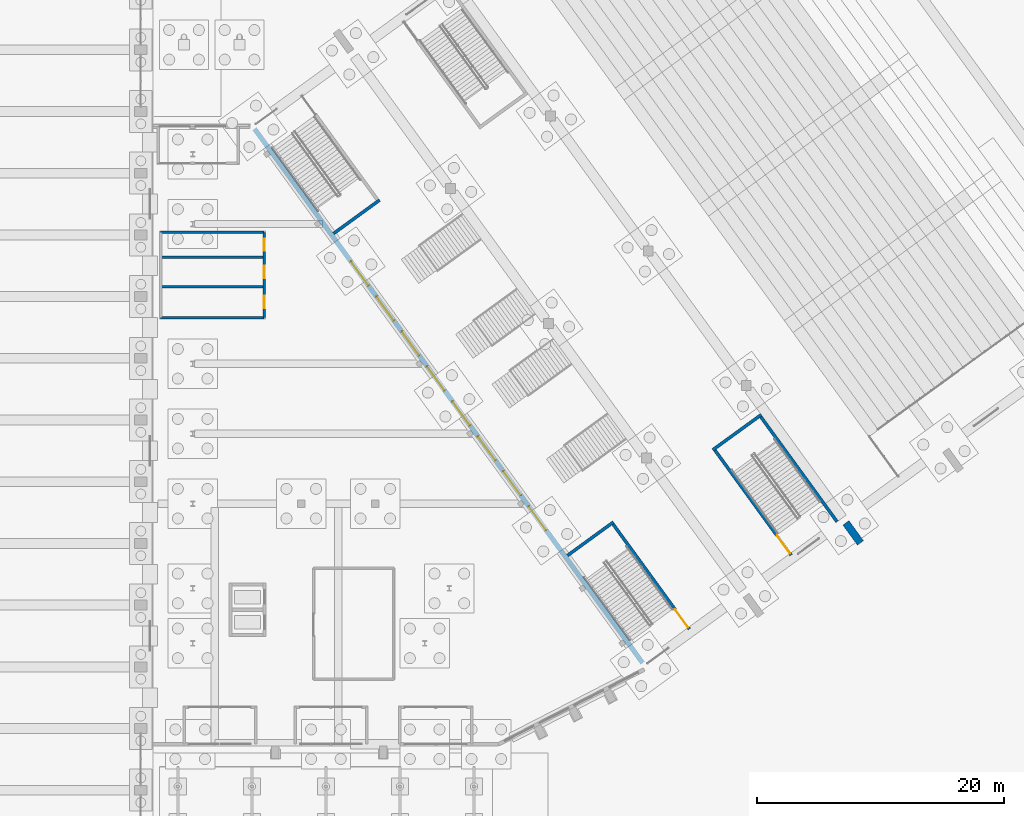
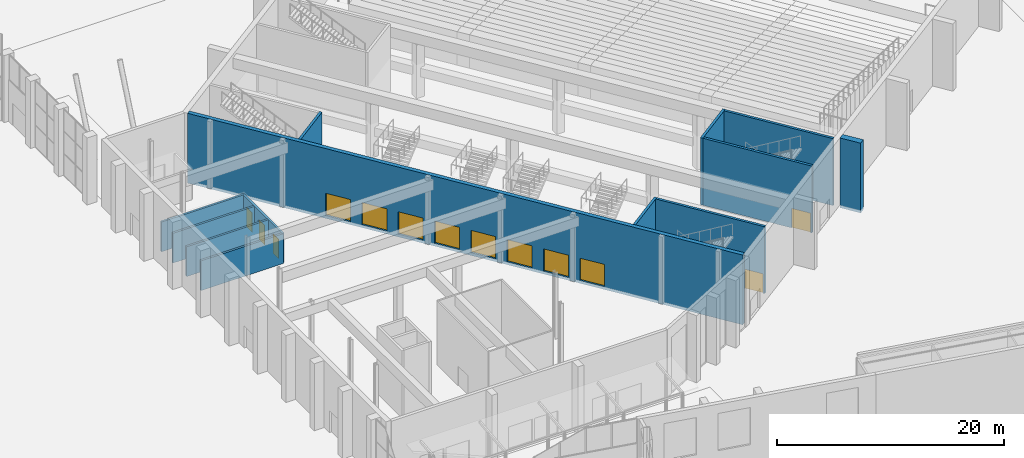
# One storey, part 184 of 239: 13 doors, 13 walls, 13 openings.
"""IFC4 building model written with IfcOpenShell, lengths in metres."""

from ifc_helpers import new_model, si_unit, direction, frame, frame_2d, origin, place, context, subcontext, project, spatial, rectangle, extrude, material, layer, layer_set, type_object, element, fill, save


model = new_model("IFC4")

# Units and contexts
model_context = context("Model", 3, precision=1e-05, world=origin(), true_north=direction((0.0, 1.0)))
body_context = subcontext(model_context, "Body", "Model", "MODEL_VIEW")
ifc_project = project(units=[si_unit("LENGTHUNIT", "METRE"), si_unit("AREAUNIT", "SQUARE_METRE"), si_unit("VOLUMEUNIT", "CUBIC_METRE"), si_unit("PLANEANGLEUNIT", "RADIAN"), si_unit("MASSUNIT", "GRAM", prefix="KILO")], contexts=[model_context])

# Site, building, storey
site_placement = place(None, origin())
site = spatial("IfcSite", under=ifc_project, at=site_placement, CompositionType="ELEMENT")
building_placement = place(site_placement, origin())
building = spatial("IfcBuilding", under=site, at=building_placement, Name="Okhra Congress Centre", CompositionType="ELEMENT")
storey_placement = place(building_placement, origin())
storey = spatial("IfcBuildingStorey", under=building, at=storey_placement, Name="L00", CompositionType="ELEMENT", Elevation=0.0)

# Wall
ifc_material_1 = material(Name="Concrete C35/45", Category="concrete")
ifc_layer_1 = layer(ifc_material_1, 0.60009765625)
ifc_layer_set_1 = layer_set([ifc_layer_1], Name="Buttress fin 600 R 120 C35/45")
wall_type_1 = type_object("IfcWallType", Name="Buttress fin 600 R 120 C35/45", PredefinedType="SOLIDWALL", material=ifc_layer_set_1)
wall_1_placement = place(storey_placement, frame((246.1376953125, 167.662353515625, -0.300048828125), z_axis=(0.0, 0.0, 1.0), x_axis=(0.587743397701, -0.809047401861, 0.0)))
element("IfcWall", 1, at=wall_1_placement, inside=storey, type_object=wall_type_1, Name="Buttress fin S -10 L00", PredefinedType="SOLIDWALL", context=body_context, shape_type="SweptSolid", body=[
    extrude(rectangle(XDim=2.0, YDim=0.60009765625, at=frame_2d((1.0, 0.0))), origin(), (0.0, 0.0, 1.0), 7.5),
])

# Wall, opening, door
ifc_layer_2 = layer(ifc_material_1, 0.25)
ifc_layer_set_2 = layer_set([ifc_layer_2], Name="RC stair cell wall 250 REI 120 C35/45")
wall_type_2 = type_object("IfcWallType", Name="RC stair cell wall 250 REI 120 C35/45", PredefinedType="SOLIDWALL", material=ifc_layer_set_2)
wall_2_placement = place(storey_placement, frame((233.44580078125, 159.05908203125, 0.0), z_axis=(0.0, 0.0, 1.0), x_axis=(-0.587801633775, 0.809005092278, 0.0)))
wall_2 = element("IfcWall", 2, at=wall_2_placement, inside=storey, type_object=wall_type_2, Name="Escape stair 1 wall W L00", PredefinedType="SOLIDWALL", context=body_context, shape_type="SweptSolid", body=[
    extrude(rectangle(XDim=10.75, YDim=0.25, at=frame_2d((5.375, 0.0))), origin(), (0.0, 0.0, 1.0), 7.199951171875),
])
opening_1_placement = place(wall_2_placement, frame((0.14990234375, 0.0, 0.0)))
opening_1 = element("IfcOpeningElement", 3, at=opening_1_placement, cuts=wall_2, Name="Opening L00-200", PredefinedType="OPENING", context=body_context, shape_type="SweptSolid", body=[
    extrude(rectangle(XDim=1.800048828125, YDim=2.10009765625, at=frame_2d((0.89990234375, 1.050048828125))), frame((0.0, 0.135009765625, 0.0), z_axis=(0.0, -1.0, 0.0), x_axis=(1.0, 0.0, 0.0)), (0.0, 0.0, 1.0), 0.27001953125),
])
ifc_material_2 = material(Name="Steel fire door leaves in steel frame, intumescent seals", Category="steel")
door_type_1 = type_object("IfcDoorType", Name="Steel fire door pair 1800x2100 EI 30", OperationType="NOTDEFINED", PredefinedType="DOOR", material=ifc_material_2)
door_1_placement = place(opening_1_placement, frame((1.800048828125, 0.0, 0.0), z_axis=(0.0, 0.0, 1.0), x_axis=(-1.0, 0.0, 0.0)))
door_1 = element("IfcDoor", 4, at=door_1_placement, inside=storey, type_object=door_type_1, Name="Door L00-200", OperationType="DOUBLE_DOOR_SINGLE_SWING", OverallHeight=2.10009765625, OverallWidth=1.800048828125, PredefinedType="DOOR", context=body_context, shape_type="SweptSolid", body=[
    extrude(rectangle(XDim=1.800048828125, YDim=2.10009765625, at=frame_2d((0.89990234375, 1.050048828125))), frame((0.0, 0.02490234375, 0.0), z_axis=(0.0, -1.0, 0.0), x_axis=(1.0, 0.0, 0.0)), (0.0, 0.0, 1.0), 0.050048828125),
])
fill(opening_1, door_1)

# Wall
wall_3_placement = place(storey_placement, frame((223.580078125, 165.0244140625, 0.0), z_axis=(0.0, 0.0, 1.0), x_axis=(0.809009113768, 0.587796098864, 0.0)))
element("IfcWall", 5, at=wall_3_placement, inside=storey, type_object=wall_type_2, Name="Escape stair 1 wall F L00", PredefinedType="SOLIDWALL", context=body_context, shape_type="SweptSolid", body=[
    extrude(rectangle(XDim=4.60009765625, YDim=0.25, at=frame_2d((2.300048828125, 0.0))), origin(), (0.0, 0.0, 1.0), 7.199951171875),
])

# Wall, opening, door
wall_4_placement = place(storey_placement, frame((241.69775390625, 165.054443359375, 0.0), z_axis=(0.0, 0.0, 1.0), x_axis=(-0.587790834139, 0.809012938897, 0.0)))
wall_4 = element("IfcWall", 6, at=wall_4_placement, inside=storey, type_object=wall_type_2, Name="Escape stair 2 wall W L00", PredefinedType="SOLIDWALL", context=body_context, shape_type="SweptSolid", body=[
    extrude(rectangle(XDim=10.750244140625, YDim=0.25, at=frame_2d((5.375, 0.0))), origin(), (0.0, 0.0, 1.0), 7.199951171875),
])
opening_2_placement = place(wall_4_placement, frame((0.14990234375, 0.0, 0.0)))
opening_2 = element("IfcOpeningElement", 7, at=opening_2_placement, cuts=wall_4, Name="Opening L00-202", PredefinedType="OPENING", context=body_context, shape_type="SweptSolid", body=[
    extrude(rectangle(XDim=1.800048828125, YDim=2.10009765625, at=frame_2d((0.89990234375, 1.050048828125))), frame((0.0, 0.135009765625, 0.0), z_axis=(0.0, -1.0, 0.0), x_axis=(1.0, 0.0, 0.0)), (0.0, 0.0, 1.0), 0.27001953125),
])
door_2_placement = place(opening_2_placement, origin())
door_2 = element("IfcDoor", 8, at=door_2_placement, inside=storey, type_object=door_type_1, Name="Door L00-202", OperationType="DOUBLE_DOOR_SINGLE_SWING", OverallHeight=2.10009765625, OverallWidth=1.800048828125, PredefinedType="DOOR", context=body_context, shape_type="SweptSolid", body=[
    extrude(rectangle(XDim=1.800048828125, YDim=2.10009765625, at=frame_2d((0.89990234375, 1.050048828125))), frame((0.0, 0.02490234375, 0.0), z_axis=(0.0, -1.0, 0.0), x_axis=(1.0, 0.0, 0.0)), (0.0, 0.0, 1.0), 0.050048828125),
])
fill(opening_2, door_2)

# Walls
wall_5_placement = place(storey_placement, frame((245.419189453125, 167.75830078125, 0.0), z_axis=(0.0, 0.0, 1.0), x_axis=(-0.587801633775, 0.809005092278, 0.0)))
element("IfcWall", 9, at=wall_5_placement, inside=storey, type_object=wall_type_2, Name="Escape stair 2 wall E L00", PredefinedType="SOLIDWALL", context=body_context, shape_type="SweptSolid", body=[
    extrude(rectangle(XDim=10.75, YDim=0.25, at=frame_2d((5.375, 0.0))), origin(), (0.0, 0.0, 1.0), 7.199951171875),
])
wall_6_placement = place(storey_placement, frame((235.351318359375, 173.57666015625, 0.0), z_axis=(0.0, 0.0, 1.0), x_axis=(0.809016791155, 0.587785532001, 0.0)))
element("IfcWall", 10, at=wall_6_placement, inside=storey, type_object=wall_type_2, Name="Escape stair 2 wall F L00", PredefinedType="SOLIDWALL", context=body_context, shape_type="SweptSolid", body=[
    extrude(rectangle(XDim=4.85009765625, YDim=0.25, at=frame_2d((2.425048828125, 0.0))), origin(), (0.0, 0.0, 1.0), 7.199951171875),
])
wall_7_placement = place(storey_placement, frame((204.6240234375, 191.115234375, 0.0), z_axis=(0.0, 0.0, 1.0), x_axis=(0.809009113768, 0.587796098864, 0.0)))
element("IfcWall", 11, at=wall_7_placement, inside=storey, type_object=wall_type_2, Name="Escape stair 3 wall F L00", PredefinedType="SOLIDWALL", context=body_context, shape_type="SweptSolid", body=[
    extrude(rectangle(XDim=4.60009765625, YDim=0.25, at=frame_2d((2.300048828125, 0.0))), origin(), (0.0, 0.0, 1.0), 7.199951171875),
])

# Wall, openings, doors
ifc_material_3 = material(Name="Concrete C30/37", Category="concrete")
ifc_layer_3 = layer(ifc_material_3, 0.199951171875)
ifc_layer_set_3 = layer_set([ifc_layer_3], Name="RC wall 200 C30/37")
wall_type_3 = type_object("IfcWallType", Name="RC wall 200 C30/37", PredefinedType="SOLIDWALL", material=ifc_layer_set_3)
wall_8_placement = place(storey_placement, frame((199.0, 184.300048828125, 0.0), z_axis=(0.0, 0.0, 1.0), x_axis=(0.0, 1.0, 0.0)))
wall_8 = element("IfcWall", 12, at=wall_8_placement, inside=storey, type_object=wall_type_3, Name="WC block east wall", PredefinedType="SOLIDWALL", context=body_context, shape_type="SweptSolid", body=[
    extrude(rectangle(XDim=6.89990234375, YDim=0.199951171875, at=frame_2d((3.449951171875, 0.0))), origin(), (0.0, 0.0, 1.0), 3.199951171875),
])
opening_3_placement = place(wall_8_placement, frame((0.75, 0.0, 0.0)))
opening_3 = element("IfcOpeningElement", 13, at=opening_3_placement, cuts=wall_8, Name="Opening L00-234", PredefinedType="OPENING", context=body_context, shape_type="SweptSolid", body=[
    extrude(rectangle(XDim=1.0, YDim=2.10009765625, at=frame_2d((0.5, 1.050048828125))), frame((0.0, 0.10986328125, 0.0), z_axis=(0.0, -1.0, 0.0), x_axis=(1.0, 0.0, 0.0)), (0.0, 0.0, 1.0), 0.219970703125),
])
opening_4_placement = place(wall_8_placement, frame((3.199951171875, 0.0, 0.0)))
opening_4 = element("IfcOpeningElement", 14, at=opening_4_placement, cuts=wall_8, Name="Opening L00-235", PredefinedType="OPENING", context=body_context, shape_type="SweptSolid", body=[
    extrude(rectangle(XDim=1.0, YDim=2.10009765625, at=frame_2d((0.5, 1.050048828125))), frame((0.0, 0.10986328125, 0.0), z_axis=(0.0, -1.0, 0.0), x_axis=(1.0, 0.0, 0.0)), (0.0, 0.0, 1.0), 0.219970703125),
])
opening_5_placement = place(wall_8_placement, frame((5.39990234375, 0.0, 0.0)))
opening_5 = element("IfcOpeningElement", 15, at=opening_5_placement, cuts=wall_8, Name="Opening L00-236", PredefinedType="OPENING", context=body_context, shape_type="SweptSolid", body=[
    extrude(rectangle(XDim=1.0, YDim=2.10009765625, at=frame_2d((0.5, 1.050048828125))), frame((0.0, 0.10986328125, 0.0), z_axis=(0.0, -1.0, 0.0), x_axis=(1.0, 0.0, 0.0)), (0.0, 0.0, 1.0), 0.219970703125),
])
ifc_material_4 = material(Name="Timber door leaf in steel frame", Category="steel")
door_type_2 = type_object("IfcDoorType", Name="Single swing door 1000x2100", OperationType="NOTDEFINED", PredefinedType="DOOR", material=ifc_material_4)
door_3_placement = place(opening_3_placement, frame((1.0, 0.0, 0.0), z_axis=(0.0, 0.0, 1.0), x_axis=(-1.0, 0.0, 0.0)))
door_3 = element("IfcDoor", 16, at=door_3_placement, inside=storey, type_object=door_type_2, Name="Door L00-234", OperationType="SINGLE_SWING_RIGHT", OverallHeight=2.10009765625, OverallWidth=1.0, PredefinedType="DOOR", context=body_context, shape_type="SweptSolid", body=[
    extrude(rectangle(XDim=1.0, YDim=2.10009765625, at=frame_2d((0.5, 1.050048828125))), frame((0.0, 0.02490234375, 0.0), z_axis=(0.0, -1.0, 0.0), x_axis=(1.0, 0.0, 0.0)), (0.0, 0.0, 1.0), 0.050048828125),
])
fill(opening_3, door_3)
door_4_placement = place(opening_4_placement, frame((1.0, 0.0, 0.0), z_axis=(0.0, 0.0, 1.0), x_axis=(-1.0, 0.0, 0.0)))
door_4 = element("IfcDoor", 17, at=door_4_placement, inside=storey, type_object=door_type_2, Name="Door L00-235", OperationType="SINGLE_SWING_RIGHT", OverallHeight=2.10009765625, OverallWidth=1.0, PredefinedType="DOOR", context=body_context, shape_type="SweptSolid", body=[
    extrude(rectangle(XDim=1.0, YDim=2.10009765625, at=frame_2d((0.5, 1.050048828125))), frame((0.0, 0.02490234375, 0.0), z_axis=(0.0, -1.0, 0.0), x_axis=(1.0, 0.0, 0.0)), (0.0, 0.0, 1.0), 0.050048828125),
])
fill(opening_4, door_4)
door_5_placement = place(opening_5_placement, frame((1.0, 0.0, 0.0), z_axis=(0.0, 0.0, 1.0), x_axis=(-1.0, 0.0, 0.0)))
door_5 = element("IfcDoor", 18, at=door_5_placement, inside=storey, type_object=door_type_2, Name="Door L00-236", OperationType="SINGLE_SWING_RIGHT", OverallHeight=2.10009765625, OverallWidth=1.0, PredefinedType="DOOR", context=body_context, shape_type="SweptSolid", body=[
    extrude(rectangle(XDim=1.0, YDim=2.10009765625, at=frame_2d((0.5, 1.050048828125))), frame((0.0, 0.02490234375, 0.0), z_axis=(0.0, -1.0, 0.0), x_axis=(1.0, 0.0, 0.0)), (0.0, 0.0, 1.0), 0.050048828125),
])
fill(opening_5, door_5)

# Walls
for number, where, z_axis, x_axis, name in (
    (19, (190.60009765625, 184.300048828125, 0.0), (0.0, 0.0, 1.0), (1.0, 0.0, 0.0), "WC block dividing wall 1"),
    (20, (190.60009765625, 186.800048828125, 0.0), (0.0, 0.0, 1.0), (1.0, 0.0, 0.0), "WC block dividing wall 2"),
    (21, (190.60009765625, 189.199951171875, 0.0), (0.0, 0.0, 1.0), (1.0, 0.0, 0.0), "WC block dividing wall 3"),
    (22, (190.60009765625, 191.199951171875, 0.0), (0.0, 0.0, 1.0), (1.0, 0.0, 0.0), "WC block dividing wall 4"),
):
    element("IfcWall", number, at=place(storey_placement, frame(where, z_axis=z_axis, x_axis=x_axis)), inside=storey, type_object=wall_type_3, Name=name, PredefinedType="SOLIDWALL", context=body_context, shape_type="SweptSolid", body=[
        extrude(rectangle(XDim=8.39990234375, YDim=0.199951171875, at=frame_2d((4.199951171875, 0.0))), origin(), (0.0, 0.0, 1.0), 3.199951171875),
    ])

# Wall, openings, doors
ifc_layer_4 = layer(ifc_material_3, 0.39990234375)
ifc_layer_set_4 = layer_set([ifc_layer_4], Name="RC wall 400 REI 120 C30/37")
wall_type_4 = type_object("IfcWallType", Name="RC wall 400 REI 120 C30/37", PredefinedType="SOLIDWALL", material=ifc_layer_set_4)
wall_9_placement = place(storey_placement, frame((229.66357421875, 156.31103515625, -0.300048828125), z_axis=(0.0, 0.0, 1.0), x_axis=(-0.587784977279, 0.809017194184, 0.0)))
wall_9 = element("IfcWall", 23, at=wall_9_placement, inside=storey, type_object=wall_type_4, Name="End wall W L00", PredefinedType="SOLIDWALL", context=body_context, shape_type="SweptSolid", body=[
    extrude(rectangle(XDim=53.5, YDim=0.39990234375, at=frame_2d((26.75, 0.0))), origin(), (0.0, 0.0, 1.0), 7.5),
])
opening_6_placement = place(wall_9_placement, frame((13.300048828125, 0.0, 0.300048828125)))
opening_6 = element("IfcOpeningElement", 24, at=opening_6_placement, cuts=wall_9, Name="Opening L00-224", PredefinedType="OPENING", context=body_context, shape_type="SweptSolid", body=[
    extrude(rectangle(XDim=2.39990234375, YDim=2.39990234375, at=frame_2d((1.199951171875, 1.199951171875))), frame((0.0, 0.2099609375, 0.0), z_axis=(0.0, -1.0, 0.0), x_axis=(1.0, 0.0, 0.0)), (0.0, 0.0, 1.0), 0.419921875),
])
opening_7_placement = place(wall_9_placement, frame((16.800048828125, 0.0, 0.300048828125)))
opening_7 = element("IfcOpeningElement", 25, at=opening_7_placement, cuts=wall_9, Name="Opening L00-225", PredefinedType="OPENING", context=body_context, shape_type="SweptSolid", body=[
    extrude(rectangle(XDim=2.39990234375, YDim=2.39990234375, at=frame_2d((1.199951171875, 1.199951171875))), frame((0.0, 0.2099609375, 0.0), z_axis=(0.0, -1.0, 0.0), x_axis=(1.0, 0.0, 0.0)), (0.0, 0.0, 1.0), 0.419921875),
])
opening_8_placement = place(wall_9_placement, frame((20.300048828125, 0.0, 0.300048828125)))
opening_8 = element("IfcOpeningElement", 26, at=opening_8_placement, cuts=wall_9, Name="Opening L00-226", PredefinedType="OPENING", context=body_context, shape_type="SweptSolid", body=[
    extrude(rectangle(XDim=2.39990234375, YDim=2.39990234375, at=frame_2d((1.199951171875, 1.199951171875))), frame((0.0, 0.2099609375, 0.0), z_axis=(0.0, -1.0, 0.0), x_axis=(1.0, 0.0, 0.0)), (0.0, 0.0, 1.0), 0.419921875),
])
opening_9_placement = place(wall_9_placement, frame((23.800048828125, 0.0, 0.300048828125)))
opening_9 = element("IfcOpeningElement", 27, at=opening_9_placement, cuts=wall_9, Name="Opening L00-227", PredefinedType="OPENING", context=body_context, shape_type="SweptSolid", body=[
    extrude(rectangle(XDim=2.39990234375, YDim=2.39990234375, at=frame_2d((1.199951171875, 1.199951171875))), frame((0.0, 0.2099609375, 0.0), z_axis=(0.0, -1.0, 0.0), x_axis=(1.0, 0.0, 0.0)), (0.0, 0.0, 1.0), 0.419921875),
])
opening_10_placement = place(wall_9_placement, frame((27.300048828125, 0.0, 0.300048828125)))
opening_10 = element("IfcOpeningElement", 28, at=opening_10_placement, cuts=wall_9, Name="Opening L00-228", PredefinedType="OPENING", context=body_context, shape_type="SweptSolid", body=[
    extrude(rectangle(XDim=2.39990234375, YDim=2.39990234375, at=frame_2d((1.199951171875, 1.199951171875))), frame((0.0, 0.2099609375, 0.0), z_axis=(0.0, -1.0, 0.0), x_axis=(1.0, 0.0, 0.0)), (0.0, 0.0, 1.0), 0.419921875),
])
opening_11_placement = place(wall_9_placement, frame((30.800048828125, 0.0, 0.300048828125)))
opening_11 = element("IfcOpeningElement", 29, at=opening_11_placement, cuts=wall_9, Name="Opening L00-229", PredefinedType="OPENING", context=body_context, shape_type="SweptSolid", body=[
    extrude(rectangle(XDim=2.39990234375, YDim=2.39990234375, at=frame_2d((1.199951171875, 1.199951171875))), frame((0.0, 0.2099609375, 0.0), z_axis=(0.0, -1.0, 0.0), x_axis=(1.0, 0.0, 0.0)), (0.0, 0.0, 1.0), 0.419921875),
])
opening_12_placement = place(wall_9_placement, frame((34.300048828125, 0.0, 0.300048828125)))
opening_12 = element("IfcOpeningElement", 30, at=opening_12_placement, cuts=wall_9, Name="Opening L00-230", PredefinedType="OPENING", context=body_context, shape_type="SweptSolid", body=[
    extrude(rectangle(XDim=2.39990234375, YDim=2.39990234375, at=frame_2d((1.199951171875, 1.199951171875))), frame((0.0, 0.2099609375, 0.0), z_axis=(0.0, -1.0, 0.0), x_axis=(1.0, 0.0, 0.0)), (0.0, 0.0, 1.0), 0.419921875),
])
opening_13_placement = place(wall_9_placement, frame((37.800048828125, 0.0, 0.300048828125)))
opening_13 = element("IfcOpeningElement", 31, at=opening_13_placement, cuts=wall_9, Name="Opening L00-231", PredefinedType="OPENING", context=body_context, shape_type="SweptSolid", body=[
    extrude(rectangle(XDim=2.39990234375, YDim=2.39990234375, at=frame_2d((1.199951171875, 1.199951171875))), frame((0.0, 0.2099609375, 0.0), z_axis=(0.0, -1.0, 0.0), x_axis=(1.0, 0.0, 0.0)), (0.0, 0.0, 1.0), 0.419921875),
])
ifc_material_5 = material(Name="Timber door leaves in steel frame", Category="steel")
door_type_3 = type_object("IfcDoorType", Name="Double swing door 2400x2400", OperationType="NOTDEFINED", PredefinedType="DOOR", material=ifc_material_5)
door_6_placement = place(opening_6_placement, origin())
door_6 = element("IfcDoor", 32, at=door_6_placement, inside=storey, type_object=door_type_3, Name="Door L00-224", OperationType="DOUBLE_DOOR_SINGLE_SWING", OverallHeight=2.39990234375, OverallWidth=2.39990234375, PredefinedType="DOOR", context=body_context, shape_type="SweptSolid", body=[
    extrude(rectangle(XDim=2.39990234375, YDim=2.39990234375, at=frame_2d((1.199951171875, 1.199951171875))), frame((0.0, 0.02490234375, 0.0), z_axis=(0.0, -1.0, 0.0), x_axis=(1.0, 0.0, 0.0)), (0.0, 0.0, 1.0), 0.050048828125),
])
fill(opening_6, door_6)
door_7_placement = place(opening_7_placement, origin())
door_7 = element("IfcDoor", 33, at=door_7_placement, inside=storey, type_object=door_type_3, Name="Door L00-225", OperationType="DOUBLE_DOOR_SINGLE_SWING", OverallHeight=2.39990234375, OverallWidth=2.39990234375, PredefinedType="DOOR", context=body_context, shape_type="SweptSolid", body=[
    extrude(rectangle(XDim=2.39990234375, YDim=2.39990234375, at=frame_2d((1.199951171875, 1.199951171875))), frame((0.0, 0.02490234375, 0.0), z_axis=(0.0, -1.0, 0.0), x_axis=(1.0, 0.0, 0.0)), (0.0, 0.0, 1.0), 0.050048828125),
])
fill(opening_7, door_7)
door_8_placement = place(opening_8_placement, origin())
door_8 = element("IfcDoor", 34, at=door_8_placement, inside=storey, type_object=door_type_3, Name="Door L00-226", OperationType="DOUBLE_DOOR_SINGLE_SWING", OverallHeight=2.39990234375, OverallWidth=2.39990234375, PredefinedType="DOOR", context=body_context, shape_type="SweptSolid", body=[
    extrude(rectangle(XDim=2.39990234375, YDim=2.39990234375, at=frame_2d((1.199951171875, 1.199951171875))), frame((0.0, 0.02490234375, 0.0), z_axis=(0.0, -1.0, 0.0), x_axis=(1.0, 0.0, 0.0)), (0.0, 0.0, 1.0), 0.050048828125),
])
fill(opening_8, door_8)
door_9_placement = place(opening_9_placement, origin())
door_9 = element("IfcDoor", 35, at=door_9_placement, inside=storey, type_object=door_type_3, Name="Door L00-227", OperationType="DOUBLE_DOOR_SINGLE_SWING", OverallHeight=2.39990234375, OverallWidth=2.39990234375, PredefinedType="DOOR", context=body_context, shape_type="SweptSolid", body=[
    extrude(rectangle(XDim=2.39990234375, YDim=2.39990234375, at=frame_2d((1.199951171875, 1.199951171875))), frame((0.0, 0.02490234375, 0.0), z_axis=(0.0, -1.0, 0.0), x_axis=(1.0, 0.0, 0.0)), (0.0, 0.0, 1.0), 0.050048828125),
])
fill(opening_9, door_9)
door_10_placement = place(opening_10_placement, origin())
door_10 = element("IfcDoor", 36, at=door_10_placement, inside=storey, type_object=door_type_3, Name="Door L00-228", OperationType="DOUBLE_DOOR_SINGLE_SWING", OverallHeight=2.39990234375, OverallWidth=2.39990234375, PredefinedType="DOOR", context=body_context, shape_type="SweptSolid", body=[
    extrude(rectangle(XDim=2.39990234375, YDim=2.39990234375, at=frame_2d((1.199951171875, 1.199951171875))), frame((0.0, 0.02490234375, 0.0), z_axis=(0.0, -1.0, 0.0), x_axis=(1.0, 0.0, 0.0)), (0.0, 0.0, 1.0), 0.050048828125),
])
fill(opening_10, door_10)
door_11_placement = place(opening_11_placement, origin())
door_11 = element("IfcDoor", 37, at=door_11_placement, inside=storey, type_object=door_type_3, Name="Door L00-229", OperationType="DOUBLE_DOOR_SINGLE_SWING", OverallHeight=2.39990234375, OverallWidth=2.39990234375, PredefinedType="DOOR", context=body_context, shape_type="SweptSolid", body=[
    extrude(rectangle(XDim=2.39990234375, YDim=2.39990234375, at=frame_2d((1.199951171875, 1.199951171875))), frame((0.0, 0.02490234375, 0.0), z_axis=(0.0, -1.0, 0.0), x_axis=(1.0, 0.0, 0.0)), (0.0, 0.0, 1.0), 0.050048828125),
])
fill(opening_11, door_11)
door_12_placement = place(opening_12_placement, origin())
door_12 = element("IfcDoor", 38, at=door_12_placement, inside=storey, type_object=door_type_3, Name="Door L00-230", OperationType="DOUBLE_DOOR_SINGLE_SWING", OverallHeight=2.39990234375, OverallWidth=2.39990234375, PredefinedType="DOOR", context=body_context, shape_type="SweptSolid", body=[
    extrude(rectangle(XDim=2.39990234375, YDim=2.39990234375, at=frame_2d((1.199951171875, 1.199951171875))), frame((0.0, 0.02490234375, 0.0), z_axis=(0.0, -1.0, 0.0), x_axis=(1.0, 0.0, 0.0)), (0.0, 0.0, 1.0), 0.050048828125),
])
fill(opening_12, door_12)
door_13_placement = place(opening_13_placement, origin())
door_13 = element("IfcDoor", 39, at=door_13_placement, inside=storey, type_object=door_type_3, Name="Door L00-231", OperationType="DOUBLE_DOOR_SINGLE_SWING", OverallHeight=2.39990234375, OverallWidth=2.39990234375, PredefinedType="DOOR", context=body_context, shape_type="SweptSolid", body=[
    extrude(rectangle(XDim=2.39990234375, YDim=2.39990234375, at=frame_2d((1.199951171875, 1.199951171875))), frame((0.0, 0.02490234375, 0.0), z_axis=(0.0, -1.0, 0.0), x_axis=(1.0, 0.0, 0.0)), (0.0, 0.0, 1.0), 0.050048828125),
])
fill(opening_13, door_13)

save(model, "model.ifc")
